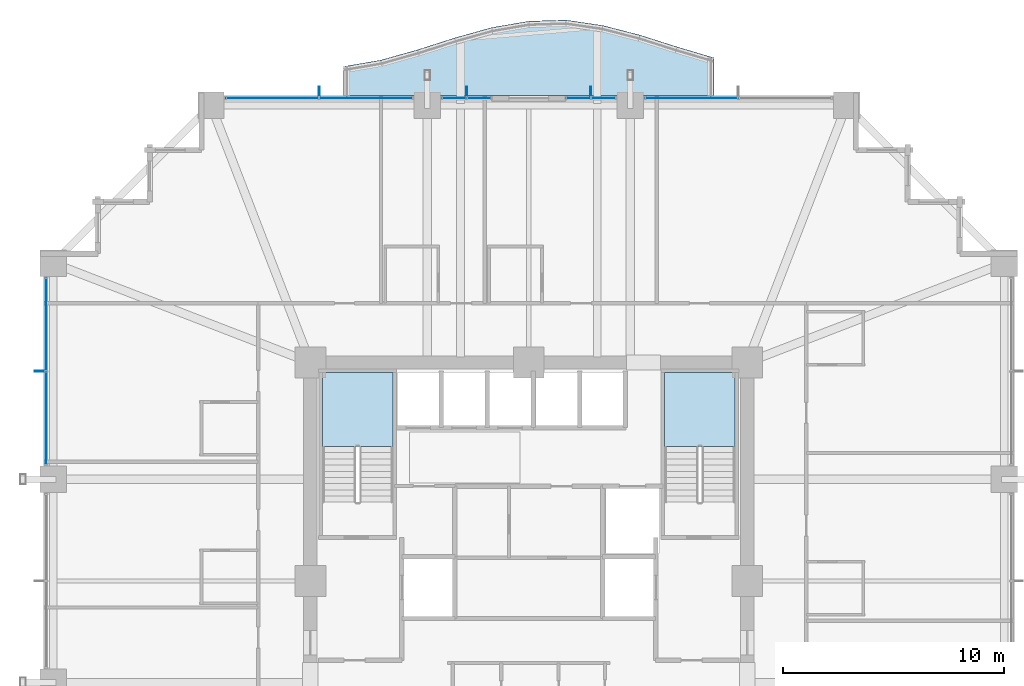
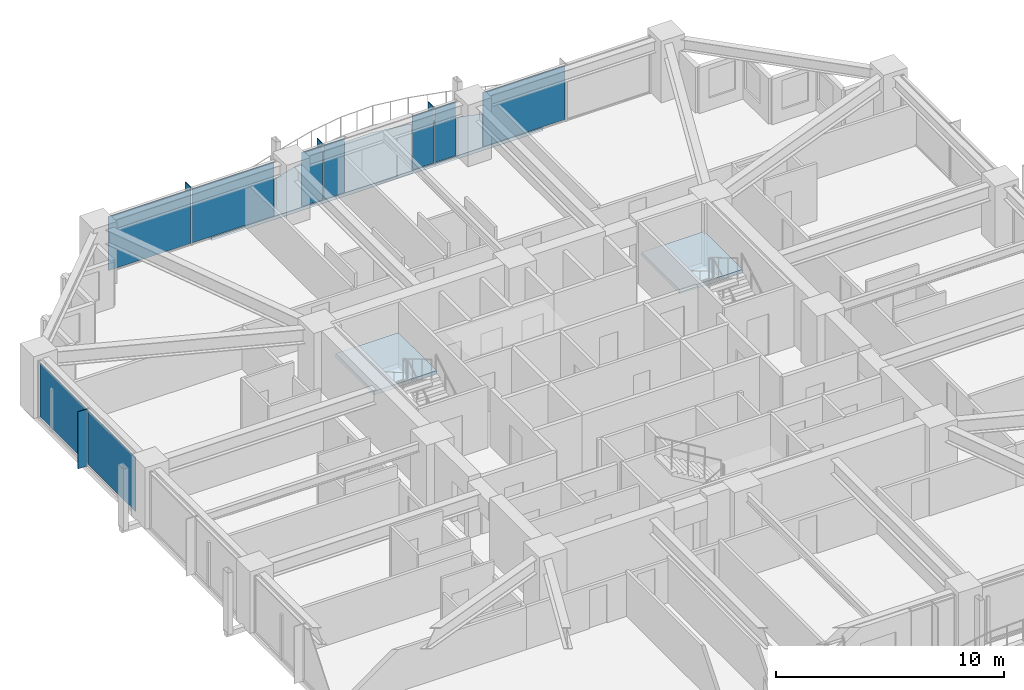
# One storey, part 29 of 38: 13 plates, 3 slabs, 7 elements without a shape of their own.
"""IFC4 building model written with IfcOpenShell, lengths in metres."""

from ifc_helpers import new_model, si_unit, direction, frame, origin, origin_2d, place, context, subcontext, project, spatial, polyline, rectangle, outline, extrude, material, layer, layer_set, type_object, element, aggregate, save


model = new_model("IFC4")

# Units and contexts
model_context = context("Model", 3, precision=1e-05, world=origin(), true_north=direction((0.0, 1.0)))
body_context = subcontext(model_context, "Body", "Model", "MODEL_VIEW")
ifc_project = project(units=[si_unit("LENGTHUNIT", "METRE"), si_unit("AREAUNIT", "SQUARE_METRE"), si_unit("VOLUMEUNIT", "CUBIC_METRE"), si_unit("PLANEANGLEUNIT", "RADIAN"), si_unit("MASSUNIT", "GRAM", prefix="KILO")], contexts=[model_context])

# Site, building, storey
site_placement = place(None, origin())
site = spatial("IfcSite", under=ifc_project, at=site_placement, CompositionType="ELEMENT")
building_placement = place(site_placement, origin())
building = spatial("IfcBuilding", under=site, at=building_placement, Name="Kolvaren Belvedere", CompositionType="ELEMENT")
storey_placement = place(building_placement, frame((0.0, 0.0, 50.199951171875)))
storey = spatial("IfcBuildingStorey", under=building, at=storey_placement, Name="L14", CompositionType="ELEMENT", Elevation=50.199951171875)

# Curtain wall, plates
ifc_material_1 = material(Name="Anodised pale-metal aluminium AA 6063-T6", Category="aluminium")
curtain_wall_type = type_object("IfcCurtainWallType", Name="CW-Z1-LOW", PredefinedType="NOTDEFINED", material=ifc_material_1)
curtain_wall_1_placement = place(storey_placement, origin())
curtain_wall_1 = element("IfcCurtainWall", 1, at=curtain_wall_1_placement, inside=storey, type_object=curtain_wall_type, Name="L14 Unitised Curtain Wall FCW-L14-N1-B1", PredefinedType="NOTDEFINED")
ifc_material_2 = material(Name="Low-iron triple insulated glass", Category="glass")
ifc_layer_1 = layer(ifc_material_2, 0.028076171875)
ifc_layer_set_1 = layer_set([ifc_layer_1], Name="Low-iron triple insulated glass")
plate_type_1 = type_object("IfcPlateType", Name="CW-PNL-VIS28", PredefinedType="CURTAIN_PANEL", material=ifc_layer_set_1)
plate_1_placement = place(storey_placement, frame((-11.62255859375, 21.8798828125, 0.080078125), z_axis=(0.0, 0.0, 1.0), x_axis=(1.0, 0.0, 0.0)))
plate_1 = element("IfcPlate", 2, at=plate_1_placement, type_object=plate_type_1, Name="FCW-L14-N1-B1 Vision Glazing Panel 1", PredefinedType="CURTAIN_PANEL", context=body_context, shape_type="SweptSolid", body=[
    extrude(rectangle(XDim=4.1650390625, YDim=0.028076171875, at=origin_2d()), origin(), (0.0, 0.0, 1.0), 2.89990234375),
])
plate_2_placement = place(storey_placement, frame((-7.37744140625, 21.8798828125, 0.080078125), z_axis=(0.0, 0.0, 1.0), x_axis=(1.0, 0.0, 0.0)))
plate_2 = element("IfcPlate", 3, at=plate_2_placement, type_object=plate_type_1, Name="FCW-L14-N1-B1 Vision Glazing Panel 2", PredefinedType="CURTAIN_PANEL", context=body_context, shape_type="SweptSolid", body=[
    extrude(rectangle(XDim=4.1650390625, YDim=0.028076171875, at=origin_2d()), origin(), (0.0, 0.0, 1.0), 2.89990234375),
])
aggregate(curtain_wall_1, [plate_1, plate_2])

curtain_wall_2_placement = place(storey_placement, origin())
curtain_wall_2 = element("IfcCurtainWall", 4, at=curtain_wall_2_placement, inside=storey, type_object=curtain_wall_type, Name="L14 Unitised Curtain Wall FCW-L14-N1-B2", PredefinedType="NOTDEFINED")
plate_3_placement = place(storey_placement, frame((-3.37890625, 21.8798828125, 0.080078125), z_axis=(0.0, 0.0, 1.0), x_axis=(1.0, 0.0, 0.0)))
plate_3 = element("IfcPlate", 5, at=plate_3_placement, type_object=plate_type_1, Name="FCW-L14-N1-B2 Vision Glazing Panel 1", PredefinedType="CURTAIN_PANEL", context=body_context, shape_type="SweptSolid", body=[
    extrude(rectangle(XDim=1.052490234375, YDim=0.028076171875, at=origin_2d()), origin(), (0.0, 0.0, 1.0), 2.89990234375),
])
plate_4_placement = place(storey_placement, frame((-2.24609375, 21.8798828125, 0.080078125), z_axis=(0.0, 0.0, 1.0), x_axis=(1.0, 0.0, 0.0)))
plate_4 = element("IfcPlate", 6, at=plate_4_placement, type_object=plate_type_1, Name="FCW-L14-N1-B2 Vision Glazing Panel 2", PredefinedType="CURTAIN_PANEL", context=body_context, shape_type="SweptSolid", body=[
    extrude(rectangle(XDim=1.052490234375, YDim=0.028076171875, at=origin_2d()), origin(), (0.0, 0.0, 1.0), 2.89990234375),
])
aggregate(curtain_wall_2, [plate_3, plate_4])

curtain_wall_3_placement = place(storey_placement, origin())
curtain_wall_3 = element("IfcCurtainWall", 7, at=curtain_wall_3_placement, inside=storey, type_object=curtain_wall_type, Name="L14 Unitised Curtain Wall FCW-L14-N2-B1", PredefinedType="NOTDEFINED")
plate_5_placement = place(storey_placement, frame((2.24609375, 21.8798828125, 0.080078125), z_axis=(0.0, 0.0, 1.0), x_axis=(1.0, 0.0, 0.0)))
plate_5 = element("IfcPlate", 8, at=plate_5_placement, type_object=plate_type_1, Name="FCW-L14-N2-B1 Vision Glazing Panel 1", PredefinedType="CURTAIN_PANEL", context=body_context, shape_type="SweptSolid", body=[
    extrude(rectangle(XDim=1.052490234375, YDim=0.028076171875, at=origin_2d()), origin(), (0.0, 0.0, 1.0), 2.89990234375),
])
plate_6_placement = place(storey_placement, frame((3.378662109375, 21.8798828125, 0.080078125), z_axis=(0.0, 0.0, 1.0), x_axis=(1.0, 0.0, 0.0)))
plate_6 = element("IfcPlate", 9, at=plate_6_placement, type_object=plate_type_1, Name="FCW-L14-N2-B1 Vision Glazing Panel 2", PredefinedType="CURTAIN_PANEL", context=body_context, shape_type="SweptSolid", body=[
    extrude(rectangle(XDim=1.052490234375, YDim=0.028076171875, at=origin_2d()), origin(), (0.0, 0.0, 1.0), 2.89990234375),
])
aggregate(curtain_wall_3, [plate_5, plate_6])

# Curtain wall, plate
curtain_wall_4_placement = place(storey_placement, origin())
curtain_wall_4 = element("IfcCurtainWall", 10, at=curtain_wall_4_placement, inside=storey, type_object=curtain_wall_type, Name="L14 Unitised Curtain Wall FCW-L14-N2-B2", PredefinedType="NOTDEFINED")
plate_7_placement = place(storey_placement, frame((7.37744140625, 21.8798828125, 0.080078125), z_axis=(0.0, 0.0, 1.0), x_axis=(1.0, 0.0, 0.0)))
plate_7 = element("IfcPlate", 11, at=plate_7_placement, type_object=plate_type_1, Name="FCW-L14-N2-B2 Vision Glazing Panel 1", PredefinedType="CURTAIN_PANEL", context=body_context, shape_type="SweptSolid", body=[
    extrude(rectangle(XDim=4.1650390625, YDim=0.028076171875, at=origin_2d()), origin(), (0.0, 0.0, 1.0), 2.89990234375),
])
aggregate(curtain_wall_4, [plate_7])

# Curtain wall, plates
curtain_wall_5_placement = place(storey_placement, origin())
curtain_wall_5 = element("IfcCurtainWall", 12, at=curtain_wall_5_placement, inside=storey, type_object=curtain_wall_type, Name="L14 Unitised Curtain Wall FCW-L14-W-B3", PredefinedType="NOTDEFINED")
plate_8_placement = place(storey_placement, frame((-21.8798828125, 7.37744140625, 0.080078125), z_axis=(0.0, 0.0, 1.0), x_axis=(0.0, 1.0, 0.0)))
plate_8 = element("IfcPlate", 13, at=plate_8_placement, type_object=plate_type_1, Name="FCW-L14-W-B3 Vision Glazing Panel 1", PredefinedType="CURTAIN_PANEL", context=body_context, shape_type="SweptSolid", body=[
    extrude(rectangle(XDim=4.1650390625, YDim=0.028076171875, at=origin_2d()), origin(), (0.0, 0.0, 1.0), 2.89990234375),
])
plate_9_placement = place(storey_placement, frame((-21.8798828125, 11.62255859375, 0.080078125), z_axis=(0.0, 0.0, 1.0), x_axis=(0.0, 1.0, 0.0)))
plate_9 = element("IfcPlate", 14, at=plate_9_placement, type_object=plate_type_1, Name="FCW-L14-W-B3 Vision Glazing Panel 2", PredefinedType="CURTAIN_PANEL", context=body_context, shape_type="SweptSolid", body=[
    extrude(rectangle(XDim=4.1650390625, YDim=0.028076171875, at=origin_2d()), origin(), (0.0, 0.0, 1.0), 2.89990234375),
])
aggregate(curtain_wall_5, [plate_8, plate_9])

# Plates
ifc_material_3 = material(Name="Anodised pale-metal aluminium AA 6063-T6", Category="aluminium")
ifc_layer_2 = layer(ifc_material_3, 0.0380859375)
ifc_layer_set_2 = layer_set([ifc_layer_2], Name="Anodised pale-metal aluminium AA 6063-T6")
plate_type_2 = type_object("IfcPlateType", Name="FIN-VERT-450", PredefinedType="USERDEFINED", material=ifc_layer_set_2)
for number, where, z_axis, x_axis, name in (
    (15, (-9.5, 22.1650390625, 0.0), (0.0, 0.0, 1.0), (0.0, 1.0, 0.0), "L14 Pale-Metal Vertical Shading Fin FCW-L14-N1-B1-1"),
    (16, (-2.8125, 22.1650390625, 0.0), (0.0, 0.0, 1.0), (0.0, 1.0, 0.0), "L14 Pale-Metal Vertical Shading Fin FCW-L14-N1-B2-1"),
    (17, (2.8125, 22.1650390625, 0.0), (0.0, 0.0, 1.0), (0.0, 1.0, 0.0), "L14 Pale-Metal Vertical Shading Fin FCW-L14-N2-B1-1"),
    (18, (-22.1650390625, 9.5, 0.0), (0.0, 0.0, 1.0), (1.0, 0.0, 0.0), "L14 Pale-Metal Vertical Shading Fin FCW-L14-W-B3-1"),
):
    element("IfcPlate", number, at=place(storey_placement, frame(where, z_axis=z_axis, x_axis=x_axis)), inside=storey, type_object=plate_type_2, Name=name, ObjectType="VERTICAL FIN", PredefinedType="USERDEFINED", context=body_context, shape_type="SweptSolid", body=[
        extrude(rectangle(XDim=0.449951171875, YDim=0.0380859375, at=origin_2d()), origin(), (0.0, 0.0, 1.0), 3.06005859375),
    ])

# Slab
ifc_material_4 = material(Name="Concrete C50/60", Category="concrete")
ifc_layer_3 = layer(ifc_material_4, 0.179931640625)
ifc_layer_set_3 = layer_set([ifc_layer_3], Name="Concrete C50/60")
slab_type_1 = type_object("IfcSlabType", Name="SL-BAL-180", PredefinedType="FLOOR", material=ifc_layer_set_3)
slab_1_placement = place(storey_placement, frame((0.0, 0.0, -0.239990234375)))
element("IfcSlab", 19, at=slab_1_placement, inside=storey, type_object=slab_type_1, Name="L14 Planted Balcony BAL-N", PredefinedType="FLOOR", context=body_context, shape_type="SweptSolid", body=[
    extrude(outline(polyline([(-8.39990234375, 22.0), (-6.719970703125, 22.0), (-5.0400390625, 22.0), (-3.360107421875, 22.0), (-1.679931640625, 22.0), (0.0, 22.0), (1.679931640625, 22.0), (3.360107421875, 22.0), (5.0400390625, 22.0), (6.719970703125, 22.0), (8.39990234375, 22.0), (8.39990234375, 23.705078125), (6.719970703125, 24.20458984375), (5.0400390625, 24.737548828125), (3.360107421875, 25.172119140625), (1.679931640625, 25.419921875), (0.0, 25.3671875), (-1.679931640625, 25.079345703125), (-3.360107421875, 24.608642578125), (-5.0400390625, 24.0712890625), (-6.719970703125, 23.6005859375), (-8.39990234375, 23.31298828125), (-8.39990234375, 22.0)])), origin(), (0.0, 0.0, 1.0), 0.179931640625),
])

# Stair, slab
ifc_material_5 = material(Name="Concrete C50/60", Category="concrete")
stair_type = type_object("IfcStairType", Name="ST-CORE-1520", PredefinedType="HALF_TURN_STAIR", material=ifc_material_5)
stair_1_placement = place(storey_placement, origin())
stair_1 = element("IfcStair", 20, at=stair_1_placement, inside=storey, type_object=stair_type, Name="L14 Protected Exit Stair ST-1", PredefinedType="HALF_TURN_STAIR")
ifc_material_6 = material(Name="Concrete C50/60", Category="concrete")
ifc_layer_4 = layer(ifc_material_6, 0.260009765625)
ifc_layer_set_4 = layer_set([ifc_layer_4], Name="Concrete C50/60")
slab_type_2 = type_object("IfcSlabType", Name="SL-LAND-260", PredefinedType="LANDING", material=ifc_layer_set_4)
slab_2_placement = place(storey_placement, frame((0.0, 0.0, 1.449951171875)))
slab_2 = element("IfcSlab", 21, at=slab_2_placement, type_object=slab_type_2, Name="ST-1 landing 1", PredefinedType="LANDING", context=body_context, shape_type="SweptSolid", body=[
    extrude(outline(polyline([(-6.159912109375, 6.090087890625), (-6.159912109375, 9.449951171875), (-9.35009765625, 9.449951171875), (-9.35009765625, 6.090087890625), (-6.159912109375, 6.090087890625)])), origin(), (0.0, 0.0, 1.0), 0.2001953125),
])
aggregate(stair_1, [slab_2])

stair_2_placement = place(storey_placement, origin())
stair_2 = element("IfcStair", 22, at=stair_2_placement, inside=storey, type_object=stair_type, Name="L14 Protected Exit Stair ST-2", PredefinedType="HALF_TURN_STAIR")
slab_3_placement = place(storey_placement, frame((0.0, 0.0, 1.449951171875)))
slab_3 = element("IfcSlab", 23, at=slab_3_placement, type_object=slab_type_2, Name="ST-2 landing 1", PredefinedType="LANDING", context=body_context, shape_type="SweptSolid", body=[
    extrude(outline(polyline([(9.35009765625, 6.090087890625), (9.35009765625, 9.449951171875), (6.159912109375, 9.449951171875), (6.159912109375, 6.090087890625), (9.35009765625, 6.090087890625)])), origin(), (0.0, 0.0, 1.0), 0.2001953125),
])
aggregate(stair_2, [slab_3])

save(model, "model.ifc")
